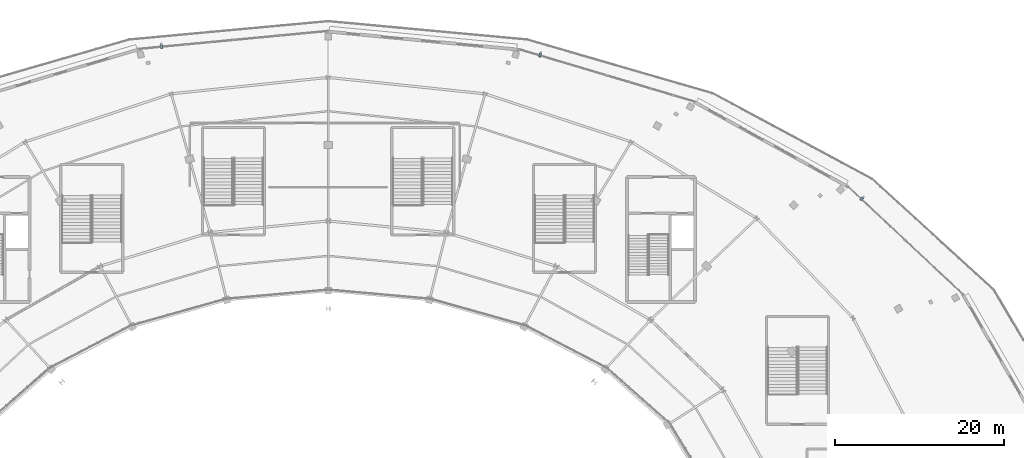
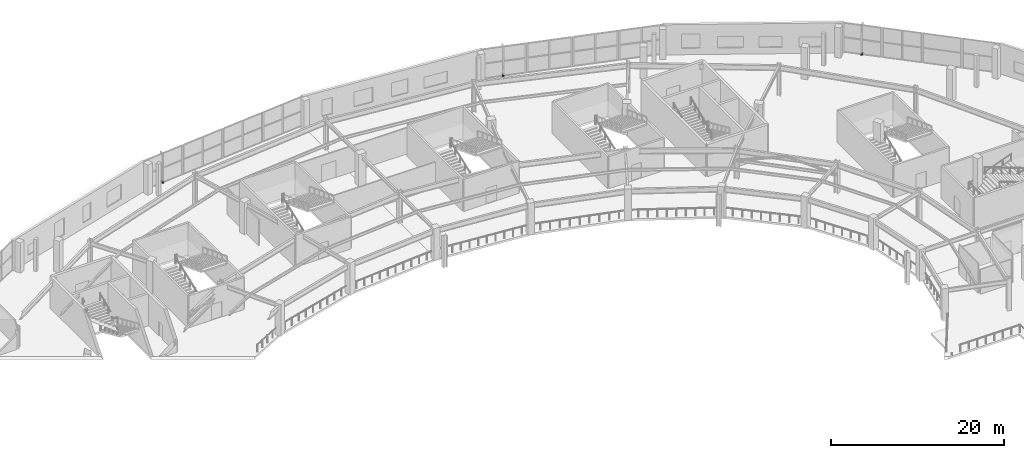
# One storey, part 87 of 107: 3 discrete accessories.
"""IFC4 building model written with IfcOpenShell, lengths in metres."""

from ifc_helpers import new_model, si_unit, direction, frame, origin, origin_2d, place, context, subcontext, project, spatial, rectangle, extrude, material, type_object, element, save


model = new_model("IFC4")

# Units and contexts
model_context = context("Model", 3, precision=1e-05, world=origin(), true_north=direction((0.0, 1.0)))
body_context = subcontext(model_context, "Body", "Model", "MODEL_VIEW")
ifc_project = project(units=[si_unit("LENGTHUNIT", "METRE"), si_unit("AREAUNIT", "SQUARE_METRE"), si_unit("VOLUMEUNIT", "CUBIC_METRE"), si_unit("PLANEANGLEUNIT", "RADIAN"), si_unit("MASSUNIT", "GRAM", prefix="KILO")], contexts=[model_context])

# Site, building, storey
site_placement = place(None, origin())
site = spatial("IfcSite", under=ifc_project, at=site_placement, CompositionType="ELEMENT")
building_placement = place(site_placement, origin())
building = spatial("IfcBuilding", under=site, at=building_placement, Name="Kalgoora Escarpment Arena", CompositionType="ELEMENT")
storey_placement = place(building_placement, frame((0.0, 0.0, 5.39990234375)))
storey = spatial("IfcBuildingStorey", under=building, at=storey_placement, Name="L01", CompositionType="ELEMENT", Elevation=5.39990234375)

# Discrete accessories
ifc_material = material(Name="Structural steel Grade 350 (350 MPa)", Category="steel")
discrete_accessory_type = type_object("IfcDiscreteAccessoryType", Name="ACC-BRACKET-FIN", PredefinedType="BRACKET", material=ifc_material)
for number, where, z_axis, x_axis, name in (
    (1, (72.679931640625, 124.651611328125, 0.0), (0.0, 0.0, 1.0), (-0.094282070226, 0.995545524441, 0.0), "L01 solar fin support bracket 03"),
    (2, (117.493408203125, 123.61572265625, 0.0), (0.0, 0.0, 1.0), (0.285688367405, 0.958322574465, 0.0), "L01 solar fin support bracket 04"),
    (3, (155.573486328125, 106.60302734375, 0.0), (0.0, 0.0, 1.0), (0.684038023042, 0.729446353773, 0.0), "L01 solar fin support bracket 05"),
):
    element("IfcDiscreteAccessory", number, at=place(storey_placement, frame(where, z_axis=z_axis, x_axis=x_axis)), inside=storey, type_object=discrete_accessory_type, Name=name, PredefinedType="BRACKET", context=body_context, shape_type="SweptSolid", body=[
        extrude(rectangle(XDim=0.419921875, YDim=0.219970703125, at=origin_2d()), origin(), (0.0, 0.0, 1.0), 0.199951171875),
    ])

save(model, "model.ifc")
